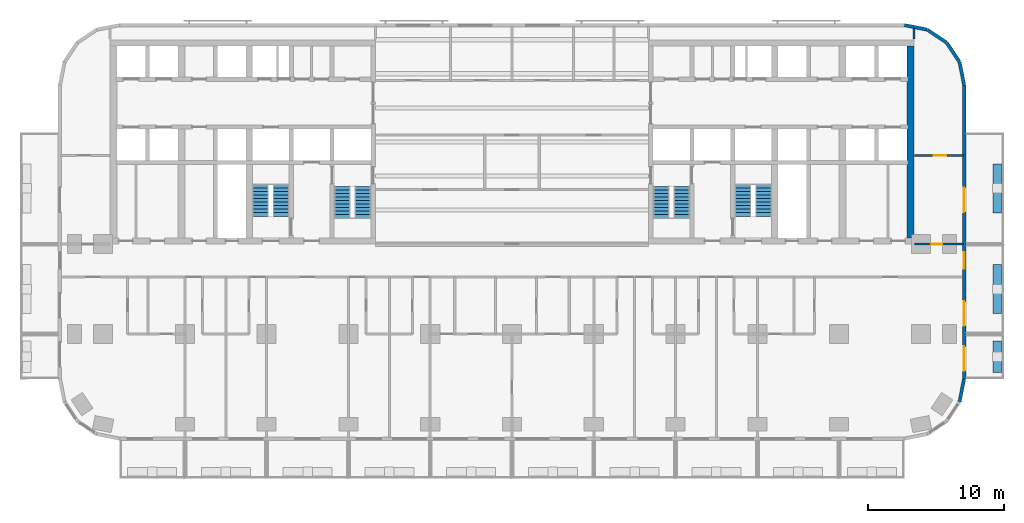
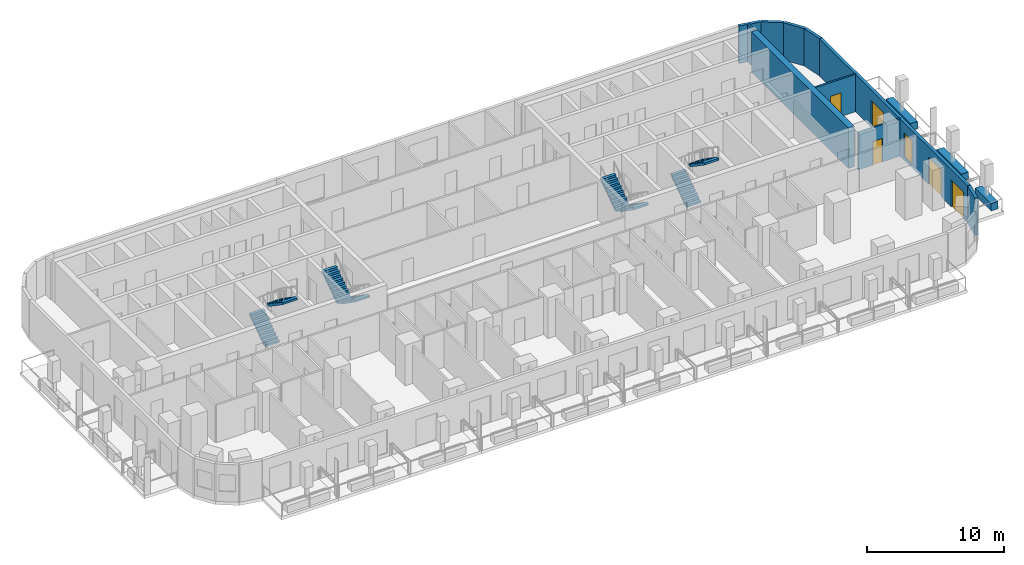
# One storey, part 8 of 13: 13 walls, 8 stair flights, 5 doors, 1 window, 6 openings, 4 elements without a shape of their own.
"""IFC4 building model written with IfcOpenShell, lengths in metres."""

from ifc_helpers import new_model, si_unit, direction, frame, frame_2d, origin, place, context, subcontext, project, spatial, polyline, rectangle, outline, extrude, material, layer, layer_set, type_object, element, fill, aggregate, save


model = new_model("IFC4")

# Units and contexts
model_context = context("Model", 3, precision=1e-05, world=origin(), true_north=direction((0.0, 1.0)))
body_context = subcontext(model_context, "Body", "Model", "MODEL_VIEW")
ifc_project = project(units=[si_unit("LENGTHUNIT", "METRE"), si_unit("AREAUNIT", "SQUARE_METRE"), si_unit("VOLUMEUNIT", "CUBIC_METRE"), si_unit("PLANEANGLEUNIT", "RADIAN"), si_unit("MASSUNIT", "GRAM", prefix="KILO")], contexts=[model_context])

# Site, building, storey
site_placement = place(None, origin())
site = spatial("IfcSite", under=ifc_project, at=site_placement, CompositionType="ELEMENT")
building_placement = place(site_placement, origin())
building = spatial("IfcBuilding", under=site, at=building_placement, Name="Torana Hotel and Residences", CompositionType="ELEMENT")
storey_placement = place(building_placement, frame((0.0, 0.0, 81.60009765625)))
storey = spatial("IfcBuildingStorey", under=building, at=storey_placement, Name="L20", CompositionType="ELEMENT", Elevation=81.60009765625)

# Walls
ifc_material_1 = material(Name="Concrete C80/95", Category="concrete")
ifc_layer_1 = layer(ifc_material_1, 0.5)
ifc_layer_set_1 = layer_set([ifc_layer_1], Name="CORE WALL 500 C80/95")
wall_type_1 = type_object("IfcWallType", Name="CORE WALL 500 C80/95", PredefinedType="SHEAR", material=ifc_layer_set_1)
wall_1_placement = place(storey_placement, frame((29.25, -14.550048828125, 0.0), z_axis=(0.0, 0.0, 1.0), x_axis=(0.0, 1.0, 0.0)))
element("IfcWall", 1, at=wall_1_placement, inside=storey, type_object=wall_type_1, Name="Core wall E outer", PredefinedType="SHEAR", context=body_context, shape_type="SweptSolid", body=[
    extrude(rectangle(XDim=14.10009765625, YDim=0.5, at=frame_2d((7.050048828125, 0.0))), origin(), (0.0, 0.0, 1.0), 3.599853515625),
])
ifc_material_2 = material(Name="Black aluminium composite panel", Category="aluminium")
ifc_layer_2 = layer(ifc_material_2, 0.00390625, Name="Cladding", Category="cladding")
ifc_material_3 = material(Name="Ventilated air cavity")
ifc_layer_3 = layer(ifc_material_3, 0.0400390625, Name="Ventilated cavity", Category="cavity")
ifc_material_4 = material(Name="Mineral wool insulation")
ifc_layer_4 = layer(ifc_material_4, 0.090087890625, Name="Insulation", Category="insulation")
ifc_material_5 = material(Name="Steel S280GD", Category="steel")
ifc_layer_5 = layer(ifc_material_5, 0.092041015625, Name="Steel stud frame", Category="structure")
ifc_material_6 = material(Name="Fire rated plasterboard")
ifc_layer_6 = layer(ifc_material_6, 0.011962890625, Name="Inner board", Category="finish")
ifc_layer_7 = layer(ifc_material_6, 0.011962890625, Name="Second board", Category="finish")
ifc_layer_set_2 = layer_set([ifc_layer_2, ifc_layer_3, ifc_layer_4, ifc_layer_5, ifc_layer_6, ifc_layer_7], Name="EW1 EXTERNAL WALL BLACK METAL CLAD 250")
wall_type_2 = type_object("IfcWallType", Name="EW1 EXTERNAL WALL BLACK METAL CLAD 250", PredefinedType="SOLIDWALL", material=ifc_layer_set_2)
wall_2_placement = place(storey_placement, frame((33.172607421875, -3.30029296875, 0.0), z_axis=(0.0, 0.0, 1.0), x_axis=(-0.19513878023, 0.980775640221, 0.0)))
element("IfcWall", 2, at=wall_2_placement, inside=storey, type_object=wall_type_2, Name="External wall L20 e0.0", PredefinedType="SOLIDWALL", context=body_context, shape_type="SweptSolid", body=[
    extrude(rectangle(XDim=1.681396484375, YDim=0.25, at=frame_2d((0.8408203125, 0.0))), origin(), (0.0, 0.0, 1.0), 3.31982421875),
])
for number, where, z_axis, x_axis, name in (
    (3, (32.825927734375, -1.60595703125, 0.0), (0.0, 0.0, 1.0), (-0.55555029066, 0.831482937015, 0.0), "External wall L20 e0.1"),
    (4, (31.87109375, -0.1943359375, 0.0), (0.0, 0.0, 1.0), (-0.831482937015, 0.55555029066, 0.0), "External wall L20 e0.2"),
):
    element("IfcWall", number, at=place(storey_placement, frame(where, z_axis=z_axis, x_axis=x_axis)), inside=storey, type_object=wall_type_2, Name=name, PredefinedType="SOLIDWALL", context=body_context, shape_type="SweptSolid", body=[
        extrude(rectangle(XDim=1.65625, YDim=0.25, at=frame_2d((0.828125, 0.0))), origin(), (0.0, 0.0, 1.0), 3.31982421875),
    ])
wall_3_placement = place(storey_placement, frame((30.448974609375, 0.74462890625, 0.0), z_axis=(0.0, 0.0, 1.0), x_axis=(-0.980803419081, 0.194999110559, 0.0)))
element("IfcWall", 5, at=wall_3_placement, inside=storey, type_object=wall_type_2, Name="External wall L20 e0.3", PredefinedType="SOLIDWALL", context=body_context, shape_type="SweptSolid", body=[
    extrude(rectangle(XDim=1.681396484375, YDim=0.25, at=frame_2d((0.8408203125, 0.0))), origin(), (0.0, 0.0, 1.0), 3.31982421875),
])
wall_4_placement = place(storey_placement, frame((32.844482421875, -26.548828125, 0.0), z_axis=(0.0, 0.0, 1.0), x_axis=(0.195166572128, 0.980770110232, 0.0)))
element("IfcWall", 6, at=wall_4_placement, inside=storey, type_object=wall_type_2, Name="External wall L20 e0.18", PredefinedType="SOLIDWALL", context=body_context, shape_type="SweptSolid", body=[
    extrude(rectangle(XDim=1.68115234375, YDim=0.25, at=frame_2d((0.840576171875, 0.0))), origin(), (0.0, 0.0, 1.0), 3.31982421875),
])

# Wall, openings, doors, window
wall_5_placement = place(storey_placement, frame((33.175048828125, -24.87548828125, 0.0), z_axis=(0.0, 0.0, 1.0), x_axis=(0.0, 1.0, 0.0)))
wall_5 = element("IfcWall", 7, at=wall_5_placement, inside=storey, type_object=wall_type_2, Name="External wall L20 e0.19", PredefinedType="SOLIDWALL", context=body_context, shape_type="SweptSolid", body=[
    extrude(rectangle(XDim=21.55078125, YDim=0.25, at=frame_2d((10.775390625, 0.0))), origin(), (0.0, 0.0, 1.0), 3.31982421875),
])
opening_1_placement = place(wall_5_placement, frame((0.575439453125, 0.0, 0.0)))
opening_1 = element("IfcOpeningElement", 8, at=opening_1_placement, cuts=wall_5, Name="Opening L20-E11", PredefinedType="OPENING", context=body_context, shape_type="SweptSolid", body=[
    extrude(rectangle(XDim=1.800048828125, YDim=2.39990234375, at=frame_2d((0.89990234375, 1.199951171875))), frame((0.0, 0.135009765625, 0.0), z_axis=(0.0, -1.0, 0.0), x_axis=(1.0, 0.0, 0.0)), (0.0, 0.0, 1.0), 0.27001953125),
])
opening_2_placement = place(wall_5_placement, frame((3.87548828125, 0.0, 0.0)))
opening_2 = element("IfcOpeningElement", 9, at=opening_2_placement, cuts=wall_5, Name="Opening L20-E12", PredefinedType="OPENING", context=body_context, shape_type="SweptSolid", body=[
    extrude(rectangle(XDim=1.800048828125, YDim=2.39990234375, at=frame_2d((0.89990234375, 1.199951171875))), frame((0.0, 0.135009765625, 0.0), z_axis=(0.0, -1.0, 0.0), x_axis=(1.0, 0.0, 0.0)), (0.0, 0.0, 1.0), 0.27001953125),
])
opening_3_placement = place(wall_5_placement, frame((8.075439453125, 0.0, 0.300048828125)))
opening_3 = element("IfcOpeningElement", 10, at=opening_3_placement, cuts=wall_5, Name="Opening W7", PredefinedType="OPENING", context=body_context, shape_type="SweptSolid", body=[
    extrude(rectangle(XDim=1.199951171875, YDim=2.10009765625, at=frame_2d((0.60009765625, 1.050048828125))), frame((0.0, 0.135009765625, 0.0), z_axis=(0.0, -1.0, 0.0), x_axis=(1.0, 0.0, 0.0)), (0.0, 0.0, 1.0), 0.27001953125),
])
opening_4_placement = place(wall_5_placement, frame((12.225341796875, 0.0, 0.0)))
opening_4 = element("IfcOpeningElement", 11, at=opening_4_placement, cuts=wall_5, Name="Opening L20-E13", PredefinedType="OPENING", context=body_context, shape_type="SweptSolid", body=[
    extrude(rectangle(XDim=1.800048828125, YDim=2.39990234375, at=frame_2d((0.89990234375, 1.199951171875))), frame((0.0, 0.135009765625, 0.0), z_axis=(0.0, -1.0, 0.0), x_axis=(1.0, 0.0, 0.0)), (0.0, 0.0, 1.0), 0.27001953125),
])
ifc_material_7 = material(Name="Dark glass in black aluminium frame", Category="aluminium")
door_type_1 = type_object("IfcDoorType", Name="DB1 BALCONY DOOR 1800x2400", OperationType="DOUBLE_DOOR_SINGLE_SWING", PredefinedType="DOOR", material=ifc_material_7)
door_1_placement = place(opening_1_placement, origin())
door_1 = element("IfcDoor", 12, at=door_1_placement, inside=storey, type_object=door_type_1, Name="Balcony door L20", OperationType="DOUBLE_DOOR_SINGLE_SWING", OverallHeight=2.39990234375, OverallWidth=1.800048828125, PredefinedType="DOOR", context=body_context, shape_type="SweptSolid", body=[
    extrude(rectangle(XDim=1.800048828125, YDim=2.39990234375, at=frame_2d((0.89990234375, 1.199951171875))), frame((0.0, 0.02490234375, 0.0), z_axis=(0.0, -1.0, 0.0), x_axis=(1.0, 0.0, 0.0)), (0.0, 0.0, 1.0), 0.050048828125),
])
fill(opening_1, door_1)
door_2_placement = place(opening_2_placement, frame((0.89990234375, 0.0, 0.0), z_axis=(0.0, 0.0, 1.0), x_axis=(-1.0, 0.0, 0.0)))
door_2 = element("IfcDoor", 13, at=door_2_placement, inside=storey, type_object=door_type_1, Name="Balcony door L20", OperationType="DOUBLE_DOOR_SINGLE_SWING", OverallHeight=2.39990234375, OverallWidth=1.800048828125, PredefinedType="DOOR", context=body_context, shape_type="SweptSolid", body=[
    extrude(rectangle(XDim=1.800048828125, YDim=2.39990234375, at=frame_2d((0.0, 1.199951171875))), frame((0.0, -0.02490234375, 0.0), z_axis=(0.0, 1.0, 0.0), x_axis=(-1.0, 0.0, 0.0)), (0.0, 0.0, 1.0), 0.050048828125),
])
fill(opening_2, door_2)
door_3_placement = place(opening_4_placement, origin())
door_3 = element("IfcDoor", 14, at=door_3_placement, inside=storey, type_object=door_type_1, Name="Balcony door L20", OperationType="DOUBLE_DOOR_SINGLE_SWING", OverallHeight=2.39990234375, OverallWidth=1.800048828125, PredefinedType="DOOR", context=body_context, shape_type="SweptSolid", body=[
    extrude(rectangle(XDim=1.800048828125, YDim=2.39990234375, at=frame_2d((0.89990234375, 1.199951171875))), frame((0.0, 0.02490234375, 0.0), z_axis=(0.0, -1.0, 0.0), x_axis=(1.0, 0.0, 0.0)), (0.0, 0.0, 1.0), 0.050048828125),
])
fill(opening_4, door_3)
ifc_material_8 = material(Name="Dark glass in black aluminium frame", Category="aluminium")
window_type = type_object("IfcWindowType", Name="W7 HOTEL CORRIDOR WINDOW 1200x2100", PartitioningType="SINGLE_PANEL", PredefinedType="WINDOW", material=ifc_material_8)
window_placement = place(opening_3_placement, origin())
window = element("IfcWindow", 15, at=window_placement, inside=storey, type_object=window_type, Name="Window L20", OverallHeight=2.10009765625, OverallWidth=1.199951171875, PartitioningType="SINGLE_PANEL", PredefinedType="WINDOW", context=body_context, shape_type="SweptSolid", body=[
    extrude(rectangle(XDim=1.199951171875, YDim=2.10009765625, at=frame_2d((0.60009765625, 1.050048828125))), frame((0.0, 0.030029296875, 0.0), z_axis=(0.0, -1.0, 0.0), x_axis=(1.0, 0.0, 0.0)), (0.0, 0.0, 1.0), 0.06005859375),
])
fill(opening_3, window)

# Wall, opening, door
ifc_material_9 = material(Name="Gypsum plaster")
ifc_layer_8 = layer(ifc_material_9, 0.014892578125, Name="Plaster", Category="finish")
ifc_material_10 = material(Name="Concrete blockwork", Category="masonry")
ifc_layer_9 = layer(ifc_material_10, 0.1201171875, Name="Blockwork", Category="structure")
ifc_layer_10 = layer(ifc_material_9, 0.014892578125, Name="Plaster", Category="finish")
ifc_layer_set_3 = layer_set([ifc_layer_8, ifc_layer_9, ifc_layer_10], Name="FIRE PARTITION 150 BLOCKWORK")
wall_type_3 = type_object("IfcWallType", Name="FIRE PARTITION 150 BLOCKWORK", PredefinedType="PARTITIONING", material=ifc_layer_set_3)
wall_6_placement = place(storey_placement, frame((29.550048828125, -15.0, 0.0), z_axis=(0.0, 0.0, 1.0), x_axis=(1.0, 0.0, 0.0)))
wall_6 = element("IfcWall", 16, at=wall_6_placement, inside=storey, type_object=wall_type_3, Name="Partition L20", PredefinedType="PARTITIONING", context=body_context, shape_type="SweptSolid", body=[
    extrude(rectangle(XDim=3.570068359375, YDim=0.14990234375, at=frame_2d((1.78515625, 0.0))), origin(), (0.0, 0.0, 1.0), 3.31982421875),
])
opening_5_placement = place(wall_6_placement, frame((1.205078125, 0.0, 0.0)))
opening_5 = element("IfcOpeningElement", 17, at=opening_5_placement, cuts=wall_6, Name="Opening L20-51", PredefinedType="OPENING", context=body_context, shape_type="SweptSolid", body=[
    extrude(rectangle(XDim=0.800048828125, YDim=2.10009765625, at=frame_2d((0.39990234375, 1.050048828125))), frame((0.0, 0.0849609375, 0.0), z_axis=(0.0, -1.0, 0.0), x_axis=(1.0, 0.0, 0.0)), (0.0, 0.0, 1.0), 0.169921875),
])
ifc_material_11 = material(Name="Steel S235", Category="steel")
door_type_2 = type_object("IfcDoorType", Name="STORE FIRE DOOR D16 800x2100", OperationType="SINGLE_SWING_LEFT", PredefinedType="DOOR", material=ifc_material_11)
door_4_placement = place(opening_5_placement, origin())
door_4 = element("IfcDoor", 18, at=door_4_placement, inside=storey, type_object=door_type_2, Name="Door L20", OperationType="SINGLE_SWING_RIGHT", OverallHeight=2.10009765625, OverallWidth=0.800048828125, PredefinedType="DOOR", context=body_context, shape_type="SweptSolid", body=[
    extrude(rectangle(XDim=0.800048828125, YDim=2.10009765625, at=frame_2d((0.39990234375, 1.050048828125))), frame((0.0, 0.02490234375, 0.0), z_axis=(0.0, -1.0, 0.0), x_axis=(1.0, 0.0, 0.0)), (0.0, 0.0, 1.0), 0.050048828125),
])
fill(opening_5, door_4)

# Wall
ifc_material_12 = material(Name="Gypsum plasterboard")
ifc_layer_11 = layer(ifc_material_12, 0.012451171875, Name="Plasterboard", Category="finish")
ifc_layer_12 = layer(ifc_material_12, 0.012451171875, Name="Plasterboard", Category="finish")
ifc_layer_13 = layer(ifc_material_5, 0.10009765625, Name="Steel studs with mineral wool", Category="insulation")
ifc_layer_14 = layer(ifc_material_12, 0.012451171875, Name="Plasterboard", Category="finish")
ifc_layer_15 = layer(ifc_material_12, 0.012451171875, Name="Plasterboard", Category="finish")
ifc_layer_set_4 = layer_set([ifc_layer_11, ifc_layer_12, ifc_layer_13, ifc_layer_14, ifc_layer_15], Name="PARTITION 150 PLASTERBOARD")
wall_type_4 = type_object("IfcWallType", Name="PARTITION 150 PLASTERBOARD", PredefinedType="PARTITIONING", material=ifc_layer_set_4)
wall_7_placement = place(storey_placement, frame((29.5, 0.050048828125, 0.0), z_axis=(0.0, 0.0, 1.0), x_axis=(0.0, 1.0, 0.0)))
element("IfcWall", 19, at=wall_7_placement, inside=storey, type_object=wall_type_4, Name="Partition L20", PredefinedType="PARTITIONING", context=body_context, shape_type="SweptSolid", body=[
    extrude(rectangle(XDim=0.8271484375, YDim=0.14990234375, at=frame_2d((0.41357421875, 0.0))), origin(), (0.0, 0.0, 1.0), 3.31982421875),
])

# Wall, opening, door
wall_8_placement = place(storey_placement, frame((29.550048828125, -8.5, 0.0), z_axis=(0.0, 0.0, 1.0), x_axis=(1.0, 0.0, 0.0)))
wall_8 = element("IfcWall", 20, at=wall_8_placement, inside=storey, type_object=wall_type_4, Name="Partition L20", PredefinedType="PARTITIONING", context=body_context, shape_type="SweptSolid", body=[
    extrude(rectangle(XDim=3.570068359375, YDim=0.14990234375, at=frame_2d((1.78515625, 0.0))), origin(), (0.0, 0.0, 1.0), 3.31982421875),
])
opening_6_placement = place(wall_8_placement, frame((1.39990234375, 0.0, 0.0)))
opening_6 = element("IfcOpeningElement", 21, at=opening_6_placement, cuts=wall_8, Name="Opening L20-80", PredefinedType="OPENING", context=body_context, shape_type="SweptSolid", body=[
    extrude(rectangle(XDim=0.89990234375, YDim=2.10009765625, at=frame_2d((0.449951171875, 1.050048828125))), frame((0.0, 0.0849609375, 0.0), z_axis=(0.0, -1.0, 0.0), x_axis=(1.0, 0.0, 0.0)), (0.0, 0.0, 1.0), 0.169921875),
])
ifc_material_13 = material(Name="Timber door, oiled ash", Category="wood")
door_type_3 = type_object("IfcDoorType", Name="ROOM DOOR D7 900x2100", OperationType="SINGLE_SWING_LEFT", PredefinedType="DOOR", material=ifc_material_13)
door_5_placement = place(opening_6_placement, origin())
door_5 = element("IfcDoor", 22, at=door_5_placement, inside=storey, type_object=door_type_3, Name="Door L20", OperationType="SINGLE_SWING_LEFT", OverallHeight=2.10009765625, OverallWidth=0.89990234375, PredefinedType="DOOR", context=body_context, shape_type="SweptSolid", body=[
    extrude(rectangle(XDim=0.89990234375, YDim=2.10009765625, at=frame_2d((0.449951171875, 1.050048828125))), frame((0.0, 0.02490234375, 0.0), z_axis=(0.0, -1.0, 0.0), x_axis=(1.0, 0.0, 0.0)), (0.0, 0.0, 1.0), 0.050048828125),
])
fill(opening_6, door_5)

# Walls
ifc_material_14 = material(Name="Concrete C40/50 precast", Category="concrete")
ifc_layer_16 = layer(ifc_material_14, 0.10009765625, Name="Planter shell", Category="structure")
ifc_material_15 = material(Name="Root resistant membrane")
ifc_layer_17 = layer(ifc_material_15, 0.00390625, Name="Waterproofing membrane", Category="membrane")
ifc_material_16 = material(Name="Drainage board with filter fleece")
ifc_layer_18 = layer(ifc_material_16, 0.02001953125, Name="Drainage board", Category="drainage")
ifc_material_17 = material(Name="Growing medium")
ifc_layer_19 = layer(ifc_material_17, 0.47607421875, Name="Planting substrate", Category="soil")
ifc_layer_set_5 = layer_set([ifc_layer_16, ifc_layer_17, ifc_layer_18, ifc_layer_19], Name="PL1 BALCONY PLANTER 600")
wall_type_5 = type_object("IfcWallType", Name="PL1 BALCONY PLANTER 600", PredefinedType="USERDEFINED", material=ifc_layer_set_5)
wall_9_placement = place(storey_placement, frame((35.60009765625, -22.10009765625, 0.0), z_axis=(0.0, 0.0, 1.0), x_axis=(0.0, -1.0, 0.0)))
element("IfcWall", 23, at=wall_9_placement, inside=storey, type_object=wall_type_5, Name="Planter 14", ObjectType="PLANTER", PredefinedType="USERDEFINED", context=body_context, shape_type="SweptSolid", body=[
    extrude(rectangle(XDim=2.2998046875, YDim=0.60009765625, at=frame_2d((1.14990234375, 0.0))), origin(), (0.0, 0.0, 1.0), 0.64990234375),
])
wall_10_placement = place(storey_placement, frame((35.60009765625, -16.5, 0.0), z_axis=(0.0, 0.0, 1.0), x_axis=(0.0, -1.0, 0.0)))
element("IfcWall", 24, at=wall_10_placement, inside=storey, type_object=wall_type_5, Name="Planter 15", ObjectType="PLANTER", PredefinedType="USERDEFINED", context=body_context, shape_type="SweptSolid", body=[
    extrude(rectangle(XDim=3.60009765625, YDim=0.60009765625, at=frame_2d((1.800048828125, 0.0))), origin(), (0.0, 0.0, 1.0), 0.64990234375),
])
wall_11_placement = place(storey_placement, frame((35.60009765625, -9.10009765625, 0.0), z_axis=(0.0, 0.0, 1.0), x_axis=(0.0, -1.0, 0.0)))
element("IfcWall", 25, at=wall_11_placement, inside=storey, type_object=wall_type_5, Name="Planter 16", ObjectType="PLANTER", PredefinedType="USERDEFINED", context=body_context, shape_type="SweptSolid", body=[
    extrude(rectangle(XDim=3.599853515625, YDim=0.60009765625, at=frame_2d((1.7998046875, 0.0))), origin(), (0.0, 0.0, 1.0), 0.64990234375),
])

# Stair, stair flights
ifc_material_18 = material(Name="Concrete C40/50 precast", Category="concrete")
stair_type_1 = type_object("IfcStairType", Name="STAIR ST1 HALF TURN 1200", PredefinedType="HALF_TURN_STAIR", material=ifc_material_18)
stair_1_placement = place(storey_placement, origin())
stair_1 = element("IfcStair", 26, at=stair_1_placement, inside=storey, type_object=stair_type_1, Name="Stair ST1 L20", PredefinedType="HALF_TURN_STAIR")
ifc_material_19 = material(Name="Concrete C40/50 precast", Category="concrete")
stair_flight_type = type_object("IfcStairFlightType", Name="STAIR FLIGHT 1200 PRECAST", PredefinedType="STRAIGHT", material=ifc_material_19)
stair_flight_1_placement = place(storey_placement, frame((-10.949951171875, -10.75, 0.0), z_axis=(0.0, 0.0, 1.0), x_axis=(0.0, -1.0, 0.0)))
stair_flight_1 = element("IfcStairFlight", 27, at=stair_flight_1_placement, type_object=stair_flight_type, Name="ST1 flight 1", NumberOfRisers=10, NumberOfTreads=9, PredefinedType="STRAIGHT", RiserHeight=0.18, TreadLength=0.26, context=body_context, shape_type="SweptSolid", body=[
    extrude(outline(polyline([(0.0, 0.0), (0.0, 0.179931640625), (0.260009765625, 0.179931640625), (0.260009765625, 0.360107421875), (0.52001953125, 0.360107421875), (0.52001953125, 0.5400390625), (0.780029296875, 0.5400390625), (0.780029296875, 0.719970703125), (1.0400390625, 0.719970703125), (1.0400390625, 0.89990234375), (1.300048828125, 0.89990234375), (1.300048828125, 1.080078125), (1.56005859375, 1.080078125), (1.56005859375, 1.260009765625), (1.820068359375, 1.260009765625), (1.820068359375, 1.43994140625), (2.080078125, 1.43994140625), (2.080078125, 1.6201171875), (2.340087890625, 1.6201171875), (2.340087890625, 1.800048828125), (2.340087890625, 1.437744140625), (0.263427734375, 0.0), (0.0, 0.0)])), frame((0.0, 0.60009765625, 0.0), z_axis=(0.0, -1.0, 0.0), x_axis=(1.0, 0.0, 0.0)), (0.0, 0.0, 1.0), 1.199951171875),
])
stair_flight_2_placement = place(storey_placement, frame((-12.449951171875, -13.090087890625, 1.7998046875), z_axis=(0.0, 0.0, 1.0), x_axis=(0.0, 1.0, 0.0)))
stair_flight_2 = element("IfcStairFlight", 28, at=stair_flight_2_placement, type_object=stair_flight_type, Name="ST1 flight 2", NumberOfRisers=10, NumberOfTreads=9, PredefinedType="STRAIGHT", RiserHeight=0.18, TreadLength=0.26, context=body_context, shape_type="SweptSolid", body=[
    extrude(outline(polyline([(0.0, 0.0), (0.0, 0.179931640625), (0.260009765625, 0.179931640625), (0.260009765625, 0.360107421875), (0.52001953125, 0.360107421875), (0.52001953125, 0.5400390625), (0.780029296875, 0.5400390625), (0.780029296875, 0.719970703125), (1.0400390625, 0.719970703125), (1.0400390625, 0.89990234375), (1.300048828125, 0.89990234375), (1.300048828125, 1.080078125), (1.56005859375, 1.080078125), (1.56005859375, 1.260009765625), (1.820068359375, 1.260009765625), (1.820068359375, 1.43994140625), (2.080078125, 1.43994140625), (2.080078125, 1.6201171875), (2.340087890625, 1.6201171875), (2.340087890625, 1.800048828125), (2.340087890625, 1.437744140625), (0.263427734375, 0.0), (0.0, 0.0)])), frame((0.0, 0.60009765625, 0.0), z_axis=(0.0, -1.0, 0.0), x_axis=(1.0, 0.0, 0.0)), (0.0, 0.0, 1.0), 1.199951171875),
])
aggregate(stair_1, [stair_flight_1, stair_flight_2])

ifc_material_20 = material(Name="Concrete C40/50 precast", Category="concrete")
stair_type_2 = type_object("IfcStairType", Name="STAIR ST2 HALF TURN 1200", PredefinedType="HALF_TURN_STAIR", material=ifc_material_20)
stair_2_placement = place(storey_placement, origin())
stair_2 = element("IfcStair", 29, at=stair_2_placement, inside=storey, type_object=stair_type_2, Name="Stair ST2 L20", PredefinedType="HALF_TURN_STAIR")
stair_flight_3_placement = place(storey_placement, frame((-18.449951171875, -12.949951171875, 0.0), z_axis=(0.0, 0.0, 1.0), x_axis=(0.0, 1.0, 0.0)))
stair_flight_3 = element("IfcStairFlight", 30, at=stair_flight_3_placement, type_object=stair_flight_type, Name="ST2 flight 1", NumberOfRisers=10, NumberOfTreads=9, PredefinedType="STRAIGHT", RiserHeight=0.18, TreadLength=0.26, context=body_context, shape_type="SweptSolid", body=[
    extrude(outline(polyline([(0.0, 0.0), (0.0, 0.179931640625), (0.260009765625, 0.179931640625), (0.260009765625, 0.360107421875), (0.52001953125, 0.360107421875), (0.52001953125, 0.5400390625), (0.780029296875, 0.5400390625), (0.780029296875, 0.719970703125), (1.0400390625, 0.719970703125), (1.0400390625, 0.89990234375), (1.300048828125, 0.89990234375), (1.300048828125, 1.080078125), (1.56005859375, 1.080078125), (1.56005859375, 1.260009765625), (1.820068359375, 1.260009765625), (1.820068359375, 1.43994140625), (2.080078125, 1.43994140625), (2.080078125, 1.6201171875), (2.340087890625, 1.6201171875), (2.340087890625, 1.800048828125), (2.340087890625, 1.437744140625), (0.263427734375, 0.0), (0.0, 0.0)])), frame((0.0, 0.60009765625, 0.0), z_axis=(0.0, -1.0, 0.0), x_axis=(1.0, 0.0, 0.0)), (0.0, 0.0, 1.0), 1.199951171875),
])
stair_flight_4_placement = place(storey_placement, frame((-16.949951171875, -10.610107421875, 1.7998046875), z_axis=(0.0, 0.0, 1.0), x_axis=(0.0, -1.0, 0.0)))
stair_flight_4 = element("IfcStairFlight", 31, at=stair_flight_4_placement, type_object=stair_flight_type, Name="ST2 flight 2", NumberOfRisers=10, NumberOfTreads=9, PredefinedType="STRAIGHT", RiserHeight=0.18, TreadLength=0.26, context=body_context, shape_type="SweptSolid", body=[
    extrude(outline(polyline([(0.0, 0.0), (0.0, 0.179931640625), (0.260009765625, 0.179931640625), (0.260009765625, 0.360107421875), (0.52001953125, 0.360107421875), (0.52001953125, 0.5400390625), (0.780029296875, 0.5400390625), (0.780029296875, 0.719970703125), (1.0400390625, 0.719970703125), (1.0400390625, 0.89990234375), (1.300048828125, 0.89990234375), (1.300048828125, 1.080078125), (1.56005859375, 1.080078125), (1.56005859375, 1.260009765625), (1.820068359375, 1.260009765625), (1.820068359375, 1.43994140625), (2.080078125, 1.43994140625), (2.080078125, 1.6201171875), (2.340087890625, 1.6201171875), (2.340087890625, 1.800048828125), (2.340087890625, 1.437744140625), (0.263427734375, 0.0), (0.0, 0.0)])), frame((0.0, 0.60009765625, 0.0), z_axis=(0.0, -1.0, 0.0), x_axis=(1.0, 0.0, 0.0)), (0.0, 0.0, 1.0), 1.199951171875),
])
aggregate(stair_2, [stair_flight_3, stair_flight_4])

ifc_material_21 = material(Name="Concrete C40/50 precast", Category="concrete")
stair_type_3 = type_object("IfcStairType", Name="STAIR ST3 HALF TURN 1200", PredefinedType="HALF_TURN_STAIR", material=ifc_material_21)
stair_3_placement = place(storey_placement, origin())
stair_3 = element("IfcStair", 32, at=stair_3_placement, inside=storey, type_object=stair_type_3, Name="Stair ST3 L20", PredefinedType="HALF_TURN_STAIR")
stair_flight_5_placement = place(storey_placement, frame((12.449951171875, -10.75, 0.0), z_axis=(0.0, 0.0, 1.0), x_axis=(0.0, -1.0, 0.0)))
stair_flight_5 = element("IfcStairFlight", 33, at=stair_flight_5_placement, type_object=stair_flight_type, Name="ST3 flight 1", NumberOfRisers=10, NumberOfTreads=9, PredefinedType="STRAIGHT", RiserHeight=0.18, TreadLength=0.26, context=body_context, shape_type="SweptSolid", body=[
    extrude(outline(polyline([(0.0, 0.0), (0.0, 0.179931640625), (0.260009765625, 0.179931640625), (0.260009765625, 0.360107421875), (0.52001953125, 0.360107421875), (0.52001953125, 0.5400390625), (0.780029296875, 0.5400390625), (0.780029296875, 0.719970703125), (1.0400390625, 0.719970703125), (1.0400390625, 0.89990234375), (1.300048828125, 0.89990234375), (1.300048828125, 1.080078125), (1.56005859375, 1.080078125), (1.56005859375, 1.260009765625), (1.820068359375, 1.260009765625), (1.820068359375, 1.43994140625), (2.080078125, 1.43994140625), (2.080078125, 1.6201171875), (2.340087890625, 1.6201171875), (2.340087890625, 1.800048828125), (2.340087890625, 1.437744140625), (0.263427734375, 0.0), (0.0, 0.0)])), frame((0.0, 0.60009765625, 0.0), z_axis=(0.0, -1.0, 0.0), x_axis=(1.0, 0.0, 0.0)), (0.0, 0.0, 1.0), 1.199951171875),
])
stair_flight_6_placement = place(storey_placement, frame((10.949951171875, -13.090087890625, 1.7998046875), z_axis=(0.0, 0.0, 1.0), x_axis=(0.0, 1.0, 0.0)))
stair_flight_6 = element("IfcStairFlight", 34, at=stair_flight_6_placement, type_object=stair_flight_type, Name="ST3 flight 2", NumberOfRisers=10, NumberOfTreads=9, PredefinedType="STRAIGHT", RiserHeight=0.18, TreadLength=0.26, context=body_context, shape_type="SweptSolid", body=[
    extrude(outline(polyline([(0.0, 0.0), (0.0, 0.179931640625), (0.260009765625, 0.179931640625), (0.260009765625, 0.360107421875), (0.52001953125, 0.360107421875), (0.52001953125, 0.5400390625), (0.780029296875, 0.5400390625), (0.780029296875, 0.719970703125), (1.0400390625, 0.719970703125), (1.0400390625, 0.89990234375), (1.300048828125, 0.89990234375), (1.300048828125, 1.080078125), (1.56005859375, 1.080078125), (1.56005859375, 1.260009765625), (1.820068359375, 1.260009765625), (1.820068359375, 1.43994140625), (2.080078125, 1.43994140625), (2.080078125, 1.6201171875), (2.340087890625, 1.6201171875), (2.340087890625, 1.800048828125), (2.340087890625, 1.437744140625), (0.263427734375, 0.0), (0.0, 0.0)])), frame((0.0, 0.60009765625, 0.0), z_axis=(0.0, -1.0, 0.0), x_axis=(1.0, 0.0, 0.0)), (0.0, 0.0, 1.0), 1.199951171875),
])
aggregate(stair_3, [stair_flight_5, stair_flight_6])

ifc_material_22 = material(Name="Concrete C40/50 precast", Category="concrete")
stair_type_4 = type_object("IfcStairType", Name="STAIR ST4 HALF TURN 1200", PredefinedType="HALF_TURN_STAIR", material=ifc_material_22)
stair_4_placement = place(storey_placement, origin())
stair_4 = element("IfcStair", 35, at=stair_4_placement, inside=storey, type_object=stair_type_4, Name="Stair ST4 L20", PredefinedType="HALF_TURN_STAIR")
stair_flight_7_placement = place(storey_placement, frame((16.949951171875, -12.949951171875, 0.0), z_axis=(0.0, 0.0, 1.0), x_axis=(0.0, 1.0, 0.0)))
stair_flight_7 = element("IfcStairFlight", 36, at=stair_flight_7_placement, type_object=stair_flight_type, Name="ST4 flight 1", NumberOfRisers=10, NumberOfTreads=9, PredefinedType="STRAIGHT", RiserHeight=0.18, TreadLength=0.26, context=body_context, shape_type="SweptSolid", body=[
    extrude(outline(polyline([(0.0, 0.0), (0.0, 0.179931640625), (0.260009765625, 0.179931640625), (0.260009765625, 0.360107421875), (0.52001953125, 0.360107421875), (0.52001953125, 0.5400390625), (0.780029296875, 0.5400390625), (0.780029296875, 0.719970703125), (1.0400390625, 0.719970703125), (1.0400390625, 0.89990234375), (1.300048828125, 0.89990234375), (1.300048828125, 1.080078125), (1.56005859375, 1.080078125), (1.56005859375, 1.260009765625), (1.820068359375, 1.260009765625), (1.820068359375, 1.43994140625), (2.080078125, 1.43994140625), (2.080078125, 1.6201171875), (2.340087890625, 1.6201171875), (2.340087890625, 1.800048828125), (2.340087890625, 1.437744140625), (0.263427734375, 0.0), (0.0, 0.0)])), frame((0.0, 0.60009765625, 0.0), z_axis=(0.0, -1.0, 0.0), x_axis=(1.0, 0.0, 0.0)), (0.0, 0.0, 1.0), 1.199951171875),
])
stair_flight_8_placement = place(storey_placement, frame((18.449951171875, -10.610107421875, 1.7998046875), z_axis=(0.0, 0.0, 1.0), x_axis=(0.0, -1.0, 0.0)))
stair_flight_8 = element("IfcStairFlight", 37, at=stair_flight_8_placement, type_object=stair_flight_type, Name="ST4 flight 2", NumberOfRisers=10, NumberOfTreads=9, PredefinedType="STRAIGHT", RiserHeight=0.18, TreadLength=0.26, context=body_context, shape_type="SweptSolid", body=[
    extrude(outline(polyline([(0.0, 0.0), (0.0, 0.179931640625), (0.260009765625, 0.179931640625), (0.260009765625, 0.360107421875), (0.52001953125, 0.360107421875), (0.52001953125, 0.5400390625), (0.780029296875, 0.5400390625), (0.780029296875, 0.719970703125), (1.0400390625, 0.719970703125), (1.0400390625, 0.89990234375), (1.300048828125, 0.89990234375), (1.300048828125, 1.080078125), (1.56005859375, 1.080078125), (1.56005859375, 1.260009765625), (1.820068359375, 1.260009765625), (1.820068359375, 1.43994140625), (2.080078125, 1.43994140625), (2.080078125, 1.6201171875), (2.340087890625, 1.6201171875), (2.340087890625, 1.800048828125), (2.340087890625, 1.437744140625), (0.263427734375, 0.0), (0.0, 0.0)])), frame((0.0, 0.60009765625, 0.0), z_axis=(0.0, -1.0, 0.0), x_axis=(1.0, 0.0, 0.0)), (0.0, 0.0, 1.0), 1.199951171875),
])
aggregate(stair_4, [stair_flight_7, stair_flight_8])

save(model, "model.ifc")
